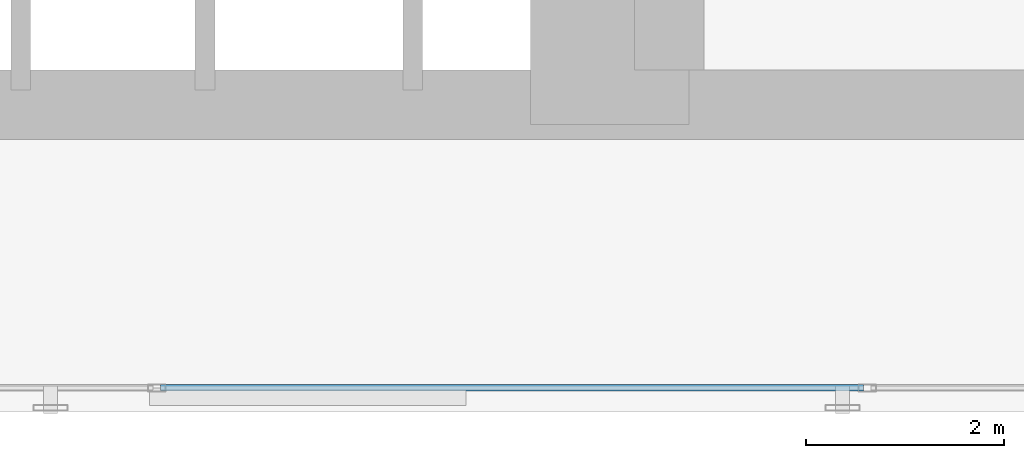
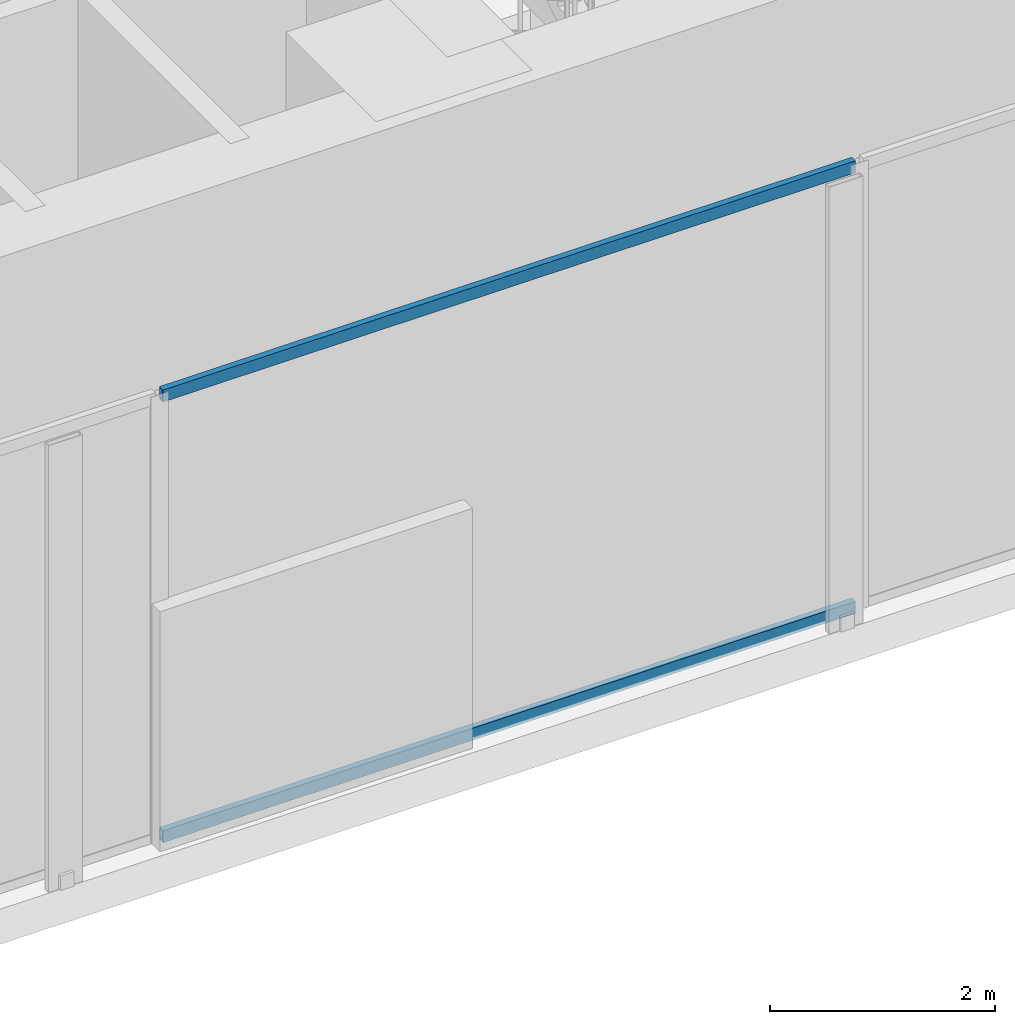
# One storey, part 3 of 36: 2 members, 1 element without a shape of its own.
"""IFC4 building model written with IfcOpenShell, lengths in metres."""

from ifc_helpers import new_model, si_unit, direction, frame, origin, origin_with_axes, origin_2d, place, context, subcontext, project, spatial, hollow_rectangle, extrude, source, transform, mapped, material, layer, layer_set, material_profile, profile_set, type_object, element, aggregate, save


model = new_model("IFC4")

# Units and contexts
model_context = context("Model", 3, precision=1e-05, world=origin(), true_north=direction((0.0, 1.0)))
body_context = subcontext(model_context, "Body", "Model", "MODEL_VIEW")
ifc_project = project(units=[si_unit("LENGTHUNIT", "METRE"), si_unit("AREAUNIT", "SQUARE_METRE"), si_unit("VOLUMEUNIT", "CUBIC_METRE"), si_unit("PLANEANGLEUNIT", "RADIAN"), si_unit("MASSUNIT", "GRAM", prefix="KILO")], contexts=[model_context])

# Site, building, storey
site_placement = place(None, origin())
site = spatial("IfcSite", under=ifc_project, at=site_placement, CompositionType="ELEMENT")
building_placement = place(site_placement, origin())
building = spatial("IfcBuilding", under=site, at=building_placement, Name="Kolvaren Waterfront Exchange", CompositionType="ELEMENT")
storey_placement = place(building_placement, frame((0.0, 0.0, 82.800048828125)))
storey = spatial("IfcBuildingStorey", under=building, at=storey_placement, Name="L21", CompositionType="ELEMENT", Elevation=82.800048828125)

# Curtain wall, members
ifc_material_1 = material(Name="Anodised dark bronze spandrel aluminium", Category="aluminium")
ifc_layer = layer(ifc_material_1, 0.219970703125, Name="Anodised dark bronze spandrel aluminium")
ifc_layer_set = layer_set([ifc_layer], Name="Anodised dark bronze spandrel aluminium")
curtain_wall_type = type_object("IfcCurtainWallType", Name="ARC-CW-SYS6", PredefinedType="USERDEFINED", material=ifc_layer_set)
curtain_wall_placement = place(storey_placement, origin())
curtain_wall = element("IfcCurtainWall", 1, at=curtain_wall_placement, inside=storey, type_object=curtain_wall_type, Name="L21 stick curtain wall CW6 (CW-L21-S)", ObjectType="STICK CURTAIN WALL", PredefinedType="USERDEFINED")
ifc_material_2 = material(Name="Anodised bronze aluminium 6063-T6", Category="aluminium")
ifc_material_profile = material_profile(ifc_material_2, hollow_rectangle(XDim=0.06494140625, YDim=0.1298828125, WallThickness=0.00390625, at=origin_2d()), Name="ALU-TRN-130x65x4")
ifc_profile_set = profile_set([ifc_material_profile], Name="Anodised bronze aluminium 6063-T6")
member_type = type_object("IfcMemberType", Name="ARC-CWT-130", PredefinedType="USERDEFINED", material=ifc_profile_set)
shared_shape = source(origin_with_axes(), body_context, "Body", "SweptSolid", [
    extrude(hollow_rectangle(XDim=0.06494140625, YDim=0.1298828125, WallThickness=0.00390625, at=origin_2d()), origin(), (0.0, 0.0, 1.0), 7.099853515625),
])
member_1_placement = place(storey_placement, frame((10.91259765625, 1.43994140625, 0.032470703125), z_axis=(1.0, 0.0, 0.0), x_axis=(0.0, 1.0, 0.0)))
member_1 = element("IfcMember", 2, at=member_1_placement, type_object=member_type, Name="CW6 transom 2.1", ObjectType="TRANSOM", PredefinedType="USERDEFINED", context=body_context, shape_type="MappedRepresentation", body=[
    mapped(shared_shape, transform((0.0, 0.0, 0.0), x_axis=(1.0, 0.0, 0.0), y_axis=(0.0, 1.0, 0.0), z_axis=(0.0, 0.0, 1.0), scale=1.0)),
])
member_2_placement = place(storey_placement, frame((10.91259765625, 1.43994140625, 4.807373046875), z_axis=(1.0, 0.0, 0.0), x_axis=(0.0, 1.0, 0.0)))
member_2 = element("IfcMember", 3, at=member_2_placement, type_object=member_type, Name="CW6 transom 2.2", ObjectType="TRANSOM", PredefinedType="USERDEFINED", context=body_context, shape_type="MappedRepresentation", body=[
    mapped(shared_shape, transform((0.0, 0.0, 0.0), x_axis=(1.0, 0.0, 0.0), y_axis=(0.0, 1.0, 0.0), z_axis=(0.0, 0.0, 1.0), scale=1.0)),
])
aggregate(curtain_wall, [member_1, member_2])

save(model, "model.ifc")
